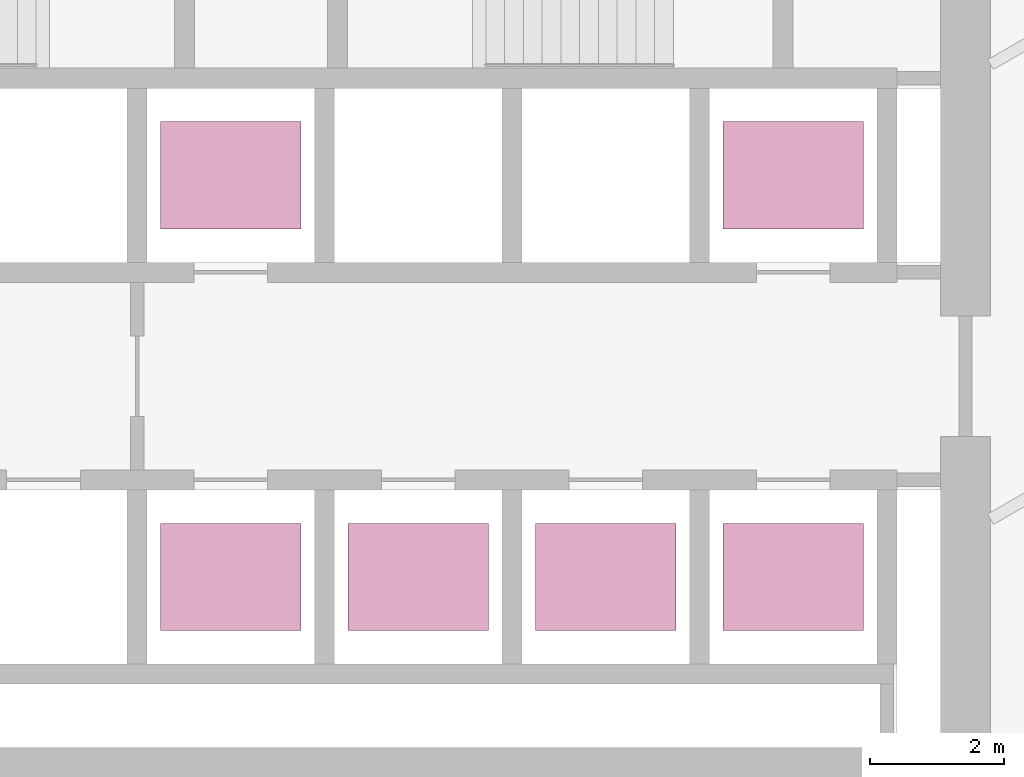
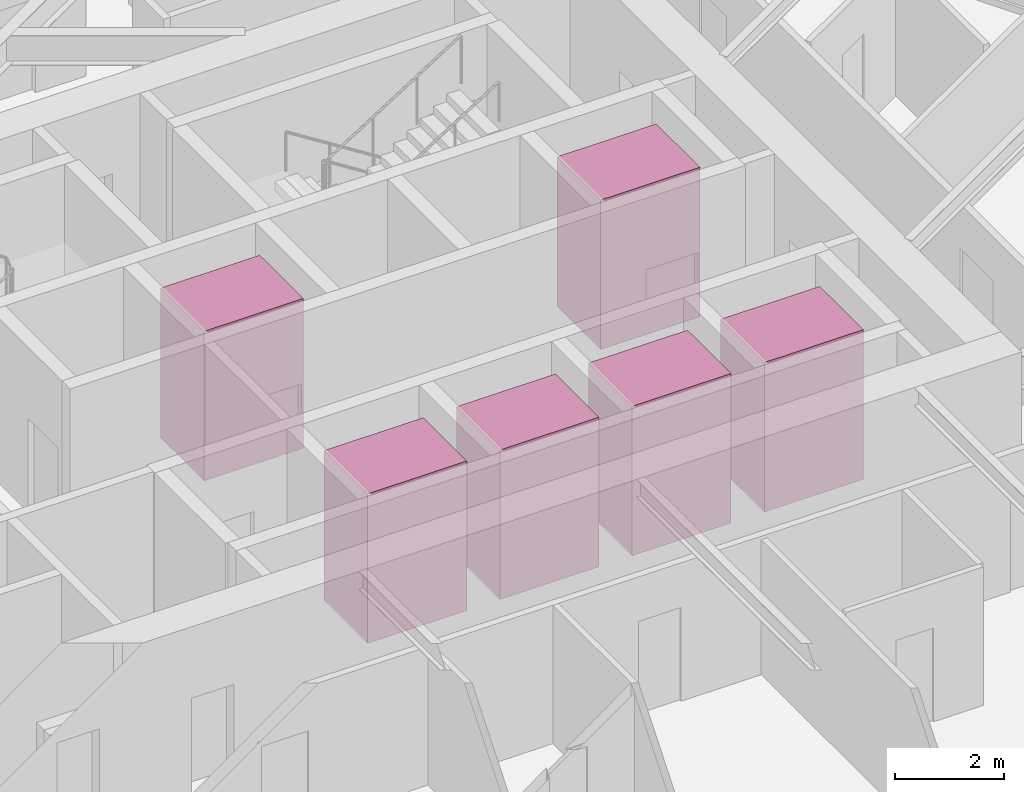
# One storey, part 19 of 19: 6 transport elements.
"""IFC4 building model written with IfcOpenShell, lengths in metres."""

from ifc_helpers import new_model, si_unit, direction, frame, origin, origin_2d, place, context, subcontext, project, spatial, rectangle, extrude, material, type_object, element, save


model = new_model("IFC4")

# Units and contexts
model_context = context("Model", 3, precision=1e-05, world=origin(), true_north=direction((0.0, 1.0)))
body_context = subcontext(model_context, "Body", "Model", "MODEL_VIEW")
ifc_project = project(units=[si_unit("LENGTHUNIT", "METRE"), si_unit("AREAUNIT", "SQUARE_METRE"), si_unit("VOLUMEUNIT", "CUBIC_METRE"), si_unit("PLANEANGLEUNIT", "RADIAN"), si_unit("MASSUNIT", "GRAM", prefix="KILO")], contexts=[model_context])

# Site, building, storey
site_placement = place(None, origin())
site = spatial("IfcSite", under=ifc_project, at=site_placement, CompositionType="ELEMENT")
building_placement = place(site_placement, origin())
building = spatial("IfcBuilding", under=site, at=building_placement, Name="Firuza Gate Tower and Library", CompositionType="ELEMENT")
storey_placement = place(building_placement, frame((0.0, 0.0, 187.0)))
storey = spatial("IfcBuildingStorey", under=building, at=storey_placement, Name="L43", CompositionType="ELEMENT", Elevation=187.0)

# Transport elements
ifc_material = material(Name="Stainless steel and glass", Category="steel")
transport_element_type = type_object("IfcTransportElementType", Name="Mid-rise lift car 2100x1600", PredefinedType="ELEVATOR", material=ifc_material)
for number, where, z_axis, x_axis, name in (
    (1, (74.64990234375, 70.300048828125, 0.0), (0.0, 0.0, 1.0), (1.0, 0.0, 0.0), "Mid-rise lift MR1"),
    (2, (77.449951171875, 70.300048828125, 0.0), (0.0, 0.0, 1.0), (1.0, 0.0, 0.0), "Mid-rise lift MR2"),
    (3, (80.25, 70.300048828125, 0.0), (0.0, 0.0, 1.0), (1.0, 0.0, 0.0), "Mid-rise lift MR3"),
    (4, (74.64990234375, 76.300048828125, 0.0), (0.0, 0.0, 1.0), (1.0, 0.0, 0.0), "Mid-rise lift MR4"),
    (5, (83.050048828125, 70.300048828125, 0.0), (0.0, 0.0, 1.0), (1.0, 0.0, 0.0), "Mid-rise lift MR5"),
    (6, (83.050048828125, 76.300048828125, 0.0), (0.0, 0.0, 1.0), (1.0, 0.0, 0.0), "Mid-rise lift MR6"),
):
    element("IfcTransportElement", number, at=place(storey_placement, frame(where, z_axis=z_axis, x_axis=x_axis)), inside=storey, type_object=transport_element_type, Name=name, PredefinedType="ELEVATOR", context=body_context, shape_type="SweptSolid", body=[
        extrude(rectangle(XDim=2.10009765625, YDim=1.60009765625, at=origin_2d()), origin(), (0.0, 0.0, 1.0), 3.35009765625),
    ])

save(model, "model.ifc")
